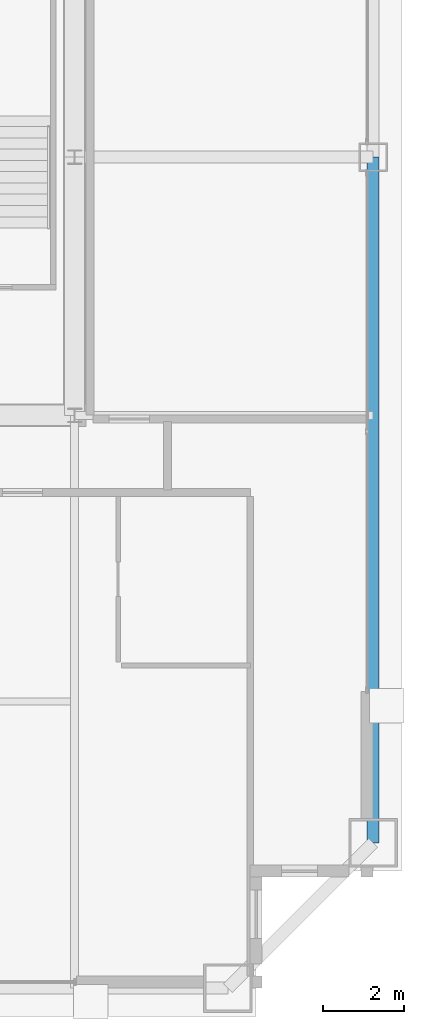
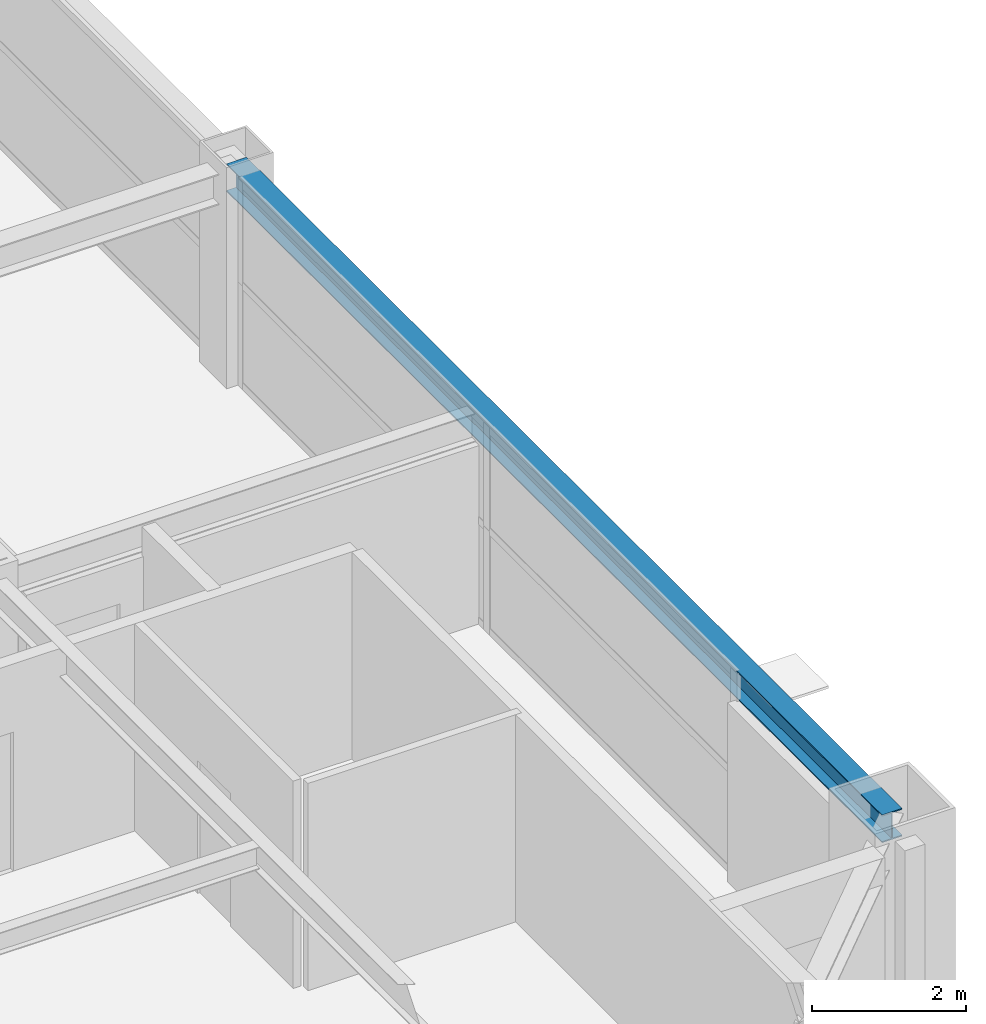
# One storey, part 19 of 37: 1 beam.
"""IFC4 building model written with IfcOpenShell, lengths in metres."""

from ifc_helpers import new_model, si_unit, direction, frame, origin, origin_2d, place, context, subcontext, project, spatial, i_section, extrude, source, transform, mapped, material, material_profile, profile_set, type_object, element, save


model = new_model("IFC4")

# Units and contexts
model_context = context("Model", 3, precision=1e-05, world=origin(), true_north=direction((0.0, 1.0)))
body_context = subcontext(model_context, "Body", "Model", "MODEL_VIEW")
ifc_project = project(units=[si_unit("LENGTHUNIT", "METRE"), si_unit("AREAUNIT", "SQUARE_METRE"), si_unit("VOLUMEUNIT", "CUBIC_METRE"), si_unit("PLANEANGLEUNIT", "RADIAN"), si_unit("MASSUNIT", "GRAM", prefix="KILO"), si_unit("THERMODYNAMICTEMPERATUREUNIT", "KELVIN"), si_unit("POWERUNIT", "WATT")], contexts=[model_context])

# Site, building, storey
site_placement = place(None, origin())
site = spatial("IfcSite", under=ifc_project, at=site_placement, CompositionType="ELEMENT")
building_placement = place(site_placement, origin())
building = spatial("IfcBuilding", under=site, at=building_placement, Name="Yuzanri Waterfront Tower", CompositionType="ELEMENT")
storey_placement = place(building_placement, frame((0.0, 0.0, 268.10009765625)))
storey = spatial("IfcBuildingStorey", under=building, at=storey_placement, Name="L71", CompositionType="ELEMENT", Elevation=268.10009765625)

# Beam
ifc_material = material(Name="Steel Q355B", Category="steel")
ifc_material_profile = material_profile(ifc_material, i_section(OverallWidth=0.300048828125, OverallDepth=0.43994140625, WebThickness=0.010986328125, FlangeThickness=0.01806640625, at=origin_2d()), Name="HM 440x300x11x18")
ifc_profile_set = profile_set([ifc_material_profile], Name="Steel Q355B")
beam_type = type_object("IfcBeamType", Name="Perimeter Spandrel Q355B HM 440x300", PredefinedType="SPANDREL", material=ifc_profile_set)
shared_shape = source(origin(), body_context, "Body", "SweptSolid", [
    extrude(i_section(OverallWidth=0.300048828125, OverallDepth=0.43994140625, WebThickness=0.010986328125, FlangeThickness=0.01806640625, at=origin_2d()), origin(), (0.0, 0.0, 1.0), 17.0),
])
beam_placement = place(storey_placement, frame((57.60009765625, 8.800048828125, 3.059814453125), z_axis=(0.0, 1.0, 0.0), x_axis=(-1.0, 0.0, 0.0)))
element("IfcBeam", 1, at=beam_placement, inside=storey, type_object=beam_type, Name="L71 Perimeter Spandrel E1-E2", PredefinedType="SPANDREL", context=body_context, shape_type="MappedRepresentation", body=[
    mapped(shared_shape, transform((0.0, 0.0, 0.0), scale=1.0)),
])

save(model, "model.ifc")
